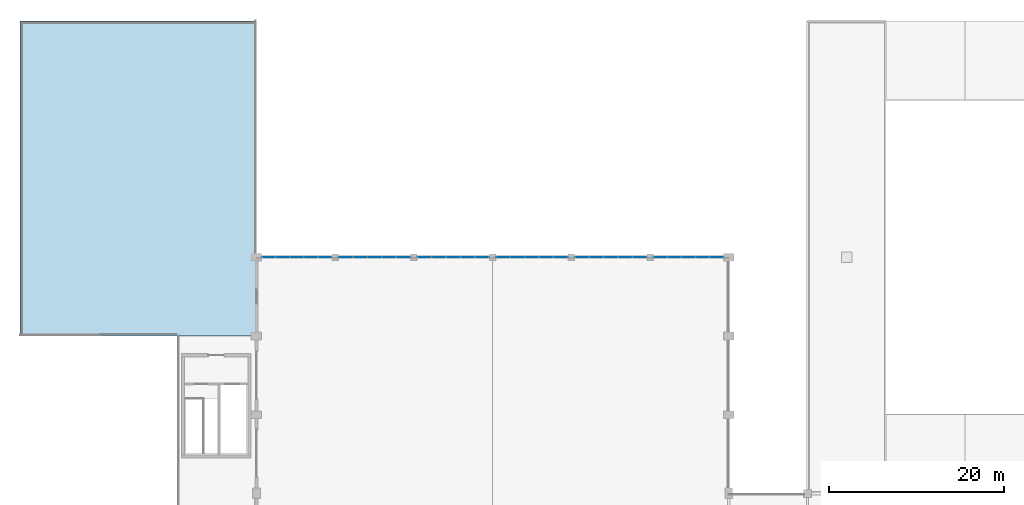
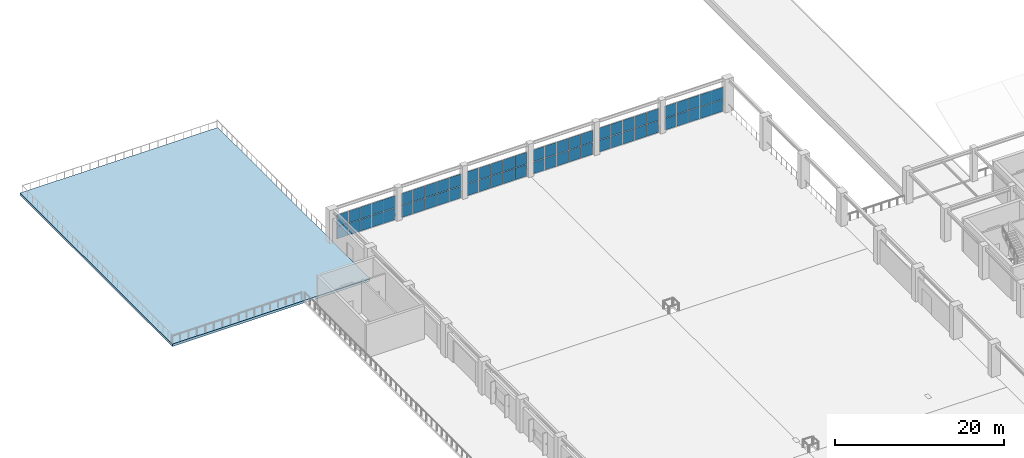
# One storey, part 57 of 89: 60 plates, 1 slab, 6 elements without a shape of their own.
"""IFC4 building model written with IfcOpenShell, lengths in metres."""

from ifc_helpers import new_model, si_unit, direction, frame, origin, origin_2d, place, context, subcontext, project, spatial, polyline, rectangle, outline, extrude, material, layer, layer_set, type_object, element, aggregate, save


model = new_model("IFC4")

# Units and contexts
model_context = context("Model", 3, precision=1e-05, world=origin(), true_north=direction((0.0, 1.0)))
body_context = subcontext(model_context, "Body", "Model", "MODEL_VIEW")
ifc_project = project(units=[si_unit("LENGTHUNIT", "METRE"), si_unit("AREAUNIT", "SQUARE_METRE"), si_unit("VOLUMEUNIT", "CUBIC_METRE"), si_unit("PLANEANGLEUNIT", "RADIAN"), si_unit("MASSUNIT", "GRAM", prefix="KILO")], contexts=[model_context])

# Site, building, storey
site_placement = place(None, origin())
site = spatial("IfcSite", under=ifc_project, at=site_placement, CompositionType="ELEMENT")
building_placement = place(site_placement, origin())
building = spatial("IfcBuilding", under=site, at=building_placement, Name="Dornveld Trade and Exhibition Forum", CompositionType="ELEMENT")
storey_placement = place(building_placement, frame((0.0, 0.0, 12.0)))
storey = spatial("IfcBuildingStorey", under=building, at=storey_placement, Name="L02", CompositionType="ELEMENT", Elevation=12.0)

# Curtain wall, plates
ifc_material_1 = material(Name="Dark-bronze anodised aluminium and low-E glass", Category="aluminium")
ifc_layer_1 = layer(ifc_material_1, 0.166015625)
ifc_layer_set_1 = layer_set([ifc_layer_1], Name="Dark-bronze anodised aluminium and low-E glass")
curtain_wall_type_1 = type_object("IfcCurtainWallType", Name="CW-SYS-08", PredefinedType="USERDEFINED", material=ifc_layer_set_1)
curtain_wall_1_placement = place(storey_placement, origin())
curtain_wall_1 = element("IfcCurtainWall", 1, at=curtain_wall_1_placement, inside=storey, type_object=curtain_wall_type_1, Name="L02 unitised curtain wall 26", ObjectType="UNITISED_CURTAIN_WALL", PredefinedType="USERDEFINED")
ifc_material_2 = material(Name="Double-glazed low-E solar control glass", Category="glass")
ifc_layer_2 = layer(ifc_material_2, 0.028076171875)
ifc_layer_set_2 = layer_set([ifc_layer_2], Name="Double-glazed low-E solar control glass")
plate_type_1 = type_object("IfcPlateType", Name="CW-PNL-02", PredefinedType="CURTAIN_PANEL", material=ifc_layer_set_2)
plate_1_placement = place(storey_placement, frame((61.7880859375, 135.0, 0.05615234375), z_axis=(0.0, 0.0, 1.0), x_axis=(-1.0, 0.0, 0.0)))
plate_1 = element("IfcPlate", 2, at=plate_1_placement, type_object=plate_type_1, Name="CW-08 panel 1.1", PredefinedType="CURTAIN_PANEL", context=body_context, shape_type="SweptSolid", body=[
    extrude(rectangle(XDim=1.5615234375, YDim=0.028076171875, at=origin_2d()), origin(), (0.0, 0.0, 1.0), 1.701904296875),
])
plate_2_placement = place(storey_placement, frame((61.7880859375, 135.0, 1.81787109375), z_axis=(0.0, 0.0, 1.0), x_axis=(-1.0, 0.0, 0.0)))
plate_2 = element("IfcPlate", 3, at=plate_2_placement, type_object=plate_type_1, Name="CW-08 panel 1.2", PredefinedType="CURTAIN_PANEL", context=body_context, shape_type="SweptSolid", body=[
    extrude(rectangle(XDim=1.5615234375, YDim=0.028076171875, at=origin_2d()), origin(), (0.0, 0.0, 1.0), 1.701904296875),
])
plate_3_placement = place(storey_placement, frame((60.151611328125, 135.0, 0.05615234375), z_axis=(0.0, 0.0, 1.0), x_axis=(-1.0, 0.0, 0.0)))
plate_3 = element("IfcPlate", 4, at=plate_3_placement, type_object=plate_type_1, Name="CW-08 panel 2.1", PredefinedType="CURTAIN_PANEL", context=body_context, shape_type="SweptSolid", body=[
    extrude(rectangle(XDim=1.591552734375, YDim=0.028076171875, at=origin_2d()), origin(), (0.0, 0.0, 1.0), 1.701904296875),
])
plate_4_placement = place(storey_placement, frame((60.151611328125, 135.0, 1.81787109375), z_axis=(0.0, 0.0, 1.0), x_axis=(-1.0, 0.0, 0.0)))
plate_4 = element("IfcPlate", 5, at=plate_4_placement, type_object=plate_type_1, Name="CW-08 panel 2.2", PredefinedType="CURTAIN_PANEL", context=body_context, shape_type="SweptSolid", body=[
    extrude(rectangle(XDim=1.591552734375, YDim=0.028076171875, at=origin_2d()), origin(), (0.0, 0.0, 1.0), 1.701904296875),
])
plate_5_placement = place(storey_placement, frame((58.5, 135.0, 0.05615234375), z_axis=(0.0, 0.0, 1.0), x_axis=(-1.0, 0.0, 0.0)))
plate_5 = element("IfcPlate", 6, at=plate_5_placement, type_object=plate_type_1, Name="CW-08 panel 3.1", PredefinedType="CURTAIN_PANEL", context=body_context, shape_type="SweptSolid", body=[
    extrude(rectangle(XDim=1.591552734375, YDim=0.028076171875, at=origin_2d()), origin(), (0.0, 0.0, 1.0), 1.701904296875),
])
plate_6_placement = place(storey_placement, frame((58.5, 135.0, 1.81787109375), z_axis=(0.0, 0.0, 1.0), x_axis=(-1.0, 0.0, 0.0)))
plate_6 = element("IfcPlate", 7, at=plate_6_placement, type_object=plate_type_1, Name="CW-08 panel 3.2", PredefinedType="CURTAIN_PANEL", context=body_context, shape_type="SweptSolid", body=[
    extrude(rectangle(XDim=1.591552734375, YDim=0.028076171875, at=origin_2d()), origin(), (0.0, 0.0, 1.0), 1.701904296875),
])
plate_7_placement = place(storey_placement, frame((56.848388671875, 135.0, 0.05615234375), z_axis=(0.0, 0.0, 1.0), x_axis=(-1.0, 0.0, 0.0)))
plate_7 = element("IfcPlate", 8, at=plate_7_placement, type_object=plate_type_1, Name="CW-08 panel 4.1", PredefinedType="CURTAIN_PANEL", context=body_context, shape_type="SweptSolid", body=[
    extrude(rectangle(XDim=1.591552734375, YDim=0.028076171875, at=origin_2d()), origin(), (0.0, 0.0, 1.0), 1.701904296875),
])
plate_8_placement = place(storey_placement, frame((56.848388671875, 135.0, 1.81787109375), z_axis=(0.0, 0.0, 1.0), x_axis=(-1.0, 0.0, 0.0)))
plate_8 = element("IfcPlate", 9, at=plate_8_placement, type_object=plate_type_1, Name="CW-08 panel 4.2", PredefinedType="CURTAIN_PANEL", context=body_context, shape_type="SweptSolid", body=[
    extrude(rectangle(XDim=1.591552734375, YDim=0.028076171875, at=origin_2d()), origin(), (0.0, 0.0, 1.0), 1.701904296875),
])
plate_9_placement = place(storey_placement, frame((55.2119140625, 135.0, 0.05615234375), z_axis=(0.0, 0.0, 1.0), x_axis=(-1.0, 0.0, 0.0)))
plate_9 = element("IfcPlate", 10, at=plate_9_placement, type_object=plate_type_1, Name="CW-08 panel 5.1", PredefinedType="CURTAIN_PANEL", context=body_context, shape_type="SweptSolid", body=[
    extrude(rectangle(XDim=1.5615234375, YDim=0.028076171875, at=origin_2d()), origin(), (0.0, 0.0, 1.0), 1.701904296875),
])
plate_10_placement = place(storey_placement, frame((55.2119140625, 135.0, 1.81787109375), z_axis=(0.0, 0.0, 1.0), x_axis=(-1.0, 0.0, 0.0)))
plate_10 = element("IfcPlate", 11, at=plate_10_placement, type_object=plate_type_1, Name="CW-08 panel 5.2", PredefinedType="CURTAIN_PANEL", context=body_context, shape_type="SweptSolid", body=[
    extrude(rectangle(XDim=1.5615234375, YDim=0.028076171875, at=origin_2d()), origin(), (0.0, 0.0, 1.0), 1.701904296875),
])
aggregate(curtain_wall_1, [plate_1, plate_2, plate_3, plate_4, plate_5, plate_6, plate_7, plate_8, plate_9, plate_10])

ifc_material_3 = material(Name="Dark-bronze anodised aluminium and low-E glass", Category="aluminium")
ifc_layer_3 = layer(ifc_material_3, 0.14794921875)
ifc_layer_set_3 = layer_set([ifc_layer_3], Name="Dark-bronze anodised aluminium and low-E glass")
curtain_wall_type_2 = type_object("IfcCurtainWallType", Name="CW-SYS-02", PredefinedType="USERDEFINED", material=ifc_layer_set_3)
curtain_wall_2_placement = place(storey_placement, origin())
curtain_wall_2 = element("IfcCurtainWall", 12, at=curtain_wall_2_placement, inside=storey, type_object=curtain_wall_type_2, Name="L02 unitised curtain wall 20", ObjectType="UNITISED_CURTAIN_WALL", PredefinedType="USERDEFINED")
ifc_material_4 = material(Name="Double-glazed low-E solar control glass", Category="glass")
ifc_layer_4 = layer(ifc_material_4, 0.031982421875)
ifc_layer_set_4 = layer_set([ifc_layer_4], Name="Double-glazed low-E solar control glass")
plate_type_2 = type_object("IfcPlateType", Name="CW-PNL-04", PredefinedType="CURTAIN_PANEL", material=ifc_layer_set_4)
plate_11_placement = place(storey_placement, frame((34.810791015625, 135.0, 0.05615234375), z_axis=(0.0, 0.0, 1.0), x_axis=(-1.0, 0.0, 0.0)))
plate_11 = element("IfcPlate", 13, at=plate_11_placement, type_object=plate_type_2, Name="CW-02 panel 1.1", PredefinedType="CURTAIN_PANEL", context=body_context, shape_type="SweptSolid", body=[
    extrude(rectangle(XDim=1.5166015625, YDim=0.031982421875, at=origin_2d()), origin(), (0.0, 0.0, 1.0), 1.701904296875),
])
plate_12_placement = place(storey_placement, frame((34.810791015625, 135.0, 1.81787109375), z_axis=(0.0, 0.0, 1.0), x_axis=(-1.0, 0.0, 0.0)))
plate_12 = element("IfcPlate", 14, at=plate_12_placement, type_object=plate_type_2, Name="CW-02 panel 1.2", PredefinedType="CURTAIN_PANEL", context=body_context, shape_type="SweptSolid", body=[
    extrude(rectangle(XDim=1.5166015625, YDim=0.031982421875, at=origin_2d()), origin(), (0.0, 0.0, 1.0), 1.701904296875),
])
plate_13_placement = place(storey_placement, frame((33.218994140625, 135.0, 0.05615234375), z_axis=(0.0, 0.0, 1.0), x_axis=(-1.0, 0.0, 0.0)))
plate_13 = element("IfcPlate", 15, at=plate_13_placement, type_object=plate_type_2, Name="CW-02 panel 2.1", PredefinedType="CURTAIN_PANEL", context=body_context, shape_type="SweptSolid", body=[
    extrude(rectangle(XDim=1.546630859375, YDim=0.031982421875, at=origin_2d()), origin(), (0.0, 0.0, 1.0), 1.701904296875),
])
plate_14_placement = place(storey_placement, frame((33.218994140625, 135.0, 1.81787109375), z_axis=(0.0, 0.0, 1.0), x_axis=(-1.0, 0.0, 0.0)))
plate_14 = element("IfcPlate", 16, at=plate_14_placement, type_object=plate_type_2, Name="CW-02 panel 2.2", PredefinedType="CURTAIN_PANEL", context=body_context, shape_type="SweptSolid", body=[
    extrude(rectangle(XDim=1.546630859375, YDim=0.031982421875, at=origin_2d()), origin(), (0.0, 0.0, 1.0), 1.701904296875),
])
plate_15_placement = place(storey_placement, frame((31.612548828125, 135.0, 0.05615234375), z_axis=(0.0, 0.0, 1.0), x_axis=(-1.0, 0.0, 0.0)))
plate_15 = element("IfcPlate", 17, at=plate_15_placement, type_object=plate_type_2, Name="CW-02 panel 3.1", PredefinedType="CURTAIN_PANEL", context=body_context, shape_type="SweptSolid", body=[
    extrude(rectangle(XDim=1.546630859375, YDim=0.031982421875, at=origin_2d()), origin(), (0.0, 0.0, 1.0), 1.701904296875),
])
plate_16_placement = place(storey_placement, frame((31.612548828125, 135.0, 1.81787109375), z_axis=(0.0, 0.0, 1.0), x_axis=(-1.0, 0.0, 0.0)))
plate_16 = element("IfcPlate", 18, at=plate_16_placement, type_object=plate_type_2, Name="CW-02 panel 3.2", PredefinedType="CURTAIN_PANEL", context=body_context, shape_type="SweptSolid", body=[
    extrude(rectangle(XDim=1.546630859375, YDim=0.031982421875, at=origin_2d()), origin(), (0.0, 0.0, 1.0), 1.701904296875),
])
plate_17_placement = place(storey_placement, frame((30.005859375, 135.0, 0.05615234375), z_axis=(0.0, 0.0, 1.0), x_axis=(-1.0, 0.0, 0.0)))
plate_17 = element("IfcPlate", 19, at=plate_17_placement, type_object=plate_type_2, Name="CW-02 panel 4.1", PredefinedType="CURTAIN_PANEL", context=body_context, shape_type="SweptSolid", body=[
    extrude(rectangle(XDim=1.546630859375, YDim=0.031982421875, at=origin_2d()), origin(), (0.0, 0.0, 1.0), 1.701904296875),
])
plate_18_placement = place(storey_placement, frame((30.005859375, 135.0, 1.81787109375), z_axis=(0.0, 0.0, 1.0), x_axis=(-1.0, 0.0, 0.0)))
plate_18 = element("IfcPlate", 20, at=plate_18_placement, type_object=plate_type_2, Name="CW-02 panel 4.2", PredefinedType="CURTAIN_PANEL", context=body_context, shape_type="SweptSolid", body=[
    extrude(rectangle(XDim=1.546630859375, YDim=0.031982421875, at=origin_2d()), origin(), (0.0, 0.0, 1.0), 1.701904296875),
])
plate_19_placement = place(storey_placement, frame((28.414306640625, 135.0, 0.05615234375), z_axis=(0.0, 0.0, 1.0), x_axis=(-1.0, 0.0, 0.0)))
plate_19 = element("IfcPlate", 21, at=plate_19_placement, type_object=plate_type_2, Name="CW-02 panel 5.1", PredefinedType="CURTAIN_PANEL", context=body_context, shape_type="SweptSolid", body=[
    extrude(rectangle(XDim=1.5166015625, YDim=0.031982421875, at=origin_2d()), origin(), (0.0, 0.0, 1.0), 1.701904296875),
])
plate_20_placement = place(storey_placement, frame((28.414306640625, 135.0, 1.81787109375), z_axis=(0.0, 0.0, 1.0), x_axis=(-1.0, 0.0, 0.0)))
plate_20 = element("IfcPlate", 22, at=plate_20_placement, type_object=plate_type_2, Name="CW-02 panel 5.2", PredefinedType="CURTAIN_PANEL", context=body_context, shape_type="SweptSolid", body=[
    extrude(rectangle(XDim=1.5166015625, YDim=0.031982421875, at=origin_2d()), origin(), (0.0, 0.0, 1.0), 1.701904296875),
])
aggregate(curtain_wall_2, [plate_11, plate_12, plate_13, plate_14, plate_15, plate_16, plate_17, plate_18, plate_19, plate_20])

ifc_material_5 = material(Name="Dark-bronze anodised aluminium and low-E glass", Category="aluminium")
ifc_layer_5 = layer(ifc_material_5, 0.172119140625)
ifc_layer_set_5 = layer_set([ifc_layer_5], Name="Dark-bronze anodised aluminium and low-E glass")
curtain_wall_type_3 = type_object("IfcCurtainWallType", Name="CW-SYS-10", PredefinedType="USERDEFINED", material=ifc_layer_set_5)
curtain_wall_3_placement = place(storey_placement, origin())
curtain_wall_3 = element("IfcCurtainWall", 23, at=curtain_wall_3_placement, inside=storey, type_object=curtain_wall_type_3, Name="L02 unitised curtain wall 28", ObjectType="UNITISED_CURTAIN_WALL", PredefinedType="USERDEFINED")
plate_21_placement = place(storey_placement, frame((70.7880859375, 135.0, 0.05615234375), z_axis=(0.0, 0.0, 1.0), x_axis=(-1.0, 0.0, 0.0)))
plate_21 = element("IfcPlate", 24, at=plate_21_placement, type_object=plate_type_2, Name="CW-10 panel 1.1", PredefinedType="CURTAIN_PANEL", context=body_context, shape_type="SweptSolid", body=[
    extrude(rectangle(XDim=1.5615234375, YDim=0.031982421875, at=origin_2d()), origin(), (0.0, 0.0, 1.0), 1.701904296875),
])
plate_22_placement = place(storey_placement, frame((70.7880859375, 135.0, 1.81787109375), z_axis=(0.0, 0.0, 1.0), x_axis=(-1.0, 0.0, 0.0)))
plate_22 = element("IfcPlate", 25, at=plate_22_placement, type_object=plate_type_2, Name="CW-10 panel 1.2", PredefinedType="CURTAIN_PANEL", context=body_context, shape_type="SweptSolid", body=[
    extrude(rectangle(XDim=1.5615234375, YDim=0.031982421875, at=origin_2d()), origin(), (0.0, 0.0, 1.0), 1.701904296875),
])
plate_23_placement = place(storey_placement, frame((69.151611328125, 135.0, 0.05615234375), z_axis=(0.0, 0.0, 1.0), x_axis=(-1.0, 0.0, 0.0)))
plate_23 = element("IfcPlate", 26, at=plate_23_placement, type_object=plate_type_2, Name="CW-10 panel 2.1", PredefinedType="CURTAIN_PANEL", context=body_context, shape_type="SweptSolid", body=[
    extrude(rectangle(XDim=1.591552734375, YDim=0.031982421875, at=origin_2d()), origin(), (0.0, 0.0, 1.0), 1.701904296875),
])
plate_24_placement = place(storey_placement, frame((69.151611328125, 135.0, 1.81787109375), z_axis=(0.0, 0.0, 1.0), x_axis=(-1.0, 0.0, 0.0)))
plate_24 = element("IfcPlate", 27, at=plate_24_placement, type_object=plate_type_2, Name="CW-10 panel 2.2", PredefinedType="CURTAIN_PANEL", context=body_context, shape_type="SweptSolid", body=[
    extrude(rectangle(XDim=1.591552734375, YDim=0.031982421875, at=origin_2d()), origin(), (0.0, 0.0, 1.0), 1.701904296875),
])
plate_25_placement = place(storey_placement, frame((67.5, 135.0, 0.05615234375), z_axis=(0.0, 0.0, 1.0), x_axis=(-1.0, 0.0, 0.0)))
plate_25 = element("IfcPlate", 28, at=plate_25_placement, type_object=plate_type_2, Name="CW-10 panel 3.1", PredefinedType="CURTAIN_PANEL", context=body_context, shape_type="SweptSolid", body=[
    extrude(rectangle(XDim=1.591552734375, YDim=0.031982421875, at=origin_2d()), origin(), (0.0, 0.0, 1.0), 1.701904296875),
])
plate_26_placement = place(storey_placement, frame((67.5, 135.0, 1.81787109375), z_axis=(0.0, 0.0, 1.0), x_axis=(-1.0, 0.0, 0.0)))
plate_26 = element("IfcPlate", 29, at=plate_26_placement, type_object=plate_type_2, Name="CW-10 panel 3.2", PredefinedType="CURTAIN_PANEL", context=body_context, shape_type="SweptSolid", body=[
    extrude(rectangle(XDim=1.591552734375, YDim=0.031982421875, at=origin_2d()), origin(), (0.0, 0.0, 1.0), 1.701904296875),
])
plate_27_placement = place(storey_placement, frame((65.848388671875, 135.0, 0.05615234375), z_axis=(0.0, 0.0, 1.0), x_axis=(-1.0, 0.0, 0.0)))
plate_27 = element("IfcPlate", 30, at=plate_27_placement, type_object=plate_type_2, Name="CW-10 panel 4.1", PredefinedType="CURTAIN_PANEL", context=body_context, shape_type="SweptSolid", body=[
    extrude(rectangle(XDim=1.591552734375, YDim=0.031982421875, at=origin_2d()), origin(), (0.0, 0.0, 1.0), 1.701904296875),
])
plate_28_placement = place(storey_placement, frame((65.848388671875, 135.0, 1.81787109375), z_axis=(0.0, 0.0, 1.0), x_axis=(-1.0, 0.0, 0.0)))
plate_28 = element("IfcPlate", 31, at=plate_28_placement, type_object=plate_type_2, Name="CW-10 panel 4.2", PredefinedType="CURTAIN_PANEL", context=body_context, shape_type="SweptSolid", body=[
    extrude(rectangle(XDim=1.591552734375, YDim=0.031982421875, at=origin_2d()), origin(), (0.0, 0.0, 1.0), 1.701904296875),
])
plate_29_placement = place(storey_placement, frame((64.2119140625, 135.0, 0.05615234375), z_axis=(0.0, 0.0, 1.0), x_axis=(-1.0, 0.0, 0.0)))
plate_29 = element("IfcPlate", 32, at=plate_29_placement, type_object=plate_type_2, Name="CW-10 panel 5.1", PredefinedType="CURTAIN_PANEL", context=body_context, shape_type="SweptSolid", body=[
    extrude(rectangle(XDim=1.5615234375, YDim=0.031982421875, at=origin_2d()), origin(), (0.0, 0.0, 1.0), 1.701904296875),
])
plate_30_placement = place(storey_placement, frame((64.2119140625, 135.0, 1.81787109375), z_axis=(0.0, 0.0, 1.0), x_axis=(-1.0, 0.0, 0.0)))
plate_30 = element("IfcPlate", 33, at=plate_30_placement, type_object=plate_type_2, Name="CW-10 panel 5.2", PredefinedType="CURTAIN_PANEL", context=body_context, shape_type="SweptSolid", body=[
    extrude(rectangle(XDim=1.5615234375, YDim=0.031982421875, at=origin_2d()), origin(), (0.0, 0.0, 1.0), 1.701904296875),
])
aggregate(curtain_wall_3, [plate_21, plate_22, plate_23, plate_24, plate_25, plate_26, plate_27, plate_28, plate_29, plate_30])

ifc_material_6 = material(Name="Dark-bronze anodised aluminium and low-E glass", Category="aluminium")
ifc_layer_6 = layer(ifc_material_6, 0.154052734375)
ifc_layer_set_6 = layer_set([ifc_layer_6], Name="Dark-bronze anodised aluminium and low-E glass")
curtain_wall_type_4 = type_object("IfcCurtainWallType", Name="CW-SYS-04", PredefinedType="USERDEFINED", material=ifc_layer_set_6)
curtain_wall_4_placement = place(storey_placement, origin())
curtain_wall_4 = element("IfcCurtainWall", 34, at=curtain_wall_4_placement, inside=storey, type_object=curtain_wall_type_4, Name="L02 unitised curtain wall 22", ObjectType="UNITISED_CURTAIN_WALL", PredefinedType="USERDEFINED")
ifc_material_7 = material(Name="Double-glazed low-E solar control glass", Category="glass")
ifc_layer_7 = layer(ifc_material_7, 0.035888671875)
ifc_layer_set_7 = layer_set([ifc_layer_7], Name="Double-glazed low-E solar control glass")
plate_type_3 = type_object("IfcPlateType", Name="CW-PNL-06", PredefinedType="CURTAIN_PANEL", material=ifc_layer_set_7)
plate_31_placement = place(storey_placement, frame((43.7880859375, 135.0, 0.05615234375), z_axis=(0.0, 0.0, 1.0), x_axis=(-1.0, 0.0, 0.0)))
plate_31 = element("IfcPlate", 35, at=plate_31_placement, type_object=plate_type_3, Name="CW-04 panel 1.1", PredefinedType="CURTAIN_PANEL", context=body_context, shape_type="SweptSolid", body=[
    extrude(rectangle(XDim=1.5615234375, YDim=0.035888671875, at=origin_2d()), origin(), (0.0, 0.0, 1.0), 1.701904296875),
])
plate_32_placement = place(storey_placement, frame((43.7880859375, 135.0, 1.81787109375), z_axis=(0.0, 0.0, 1.0), x_axis=(-1.0, 0.0, 0.0)))
plate_32 = element("IfcPlate", 36, at=plate_32_placement, type_object=plate_type_3, Name="CW-04 panel 1.2", PredefinedType="CURTAIN_PANEL", context=body_context, shape_type="SweptSolid", body=[
    extrude(rectangle(XDim=1.5615234375, YDim=0.035888671875, at=origin_2d()), origin(), (0.0, 0.0, 1.0), 1.701904296875),
])
plate_33_placement = place(storey_placement, frame((42.151611328125, 135.0, 0.05615234375), z_axis=(0.0, 0.0, 1.0), x_axis=(-1.0, 0.0, 0.0)))
plate_33 = element("IfcPlate", 37, at=plate_33_placement, type_object=plate_type_3, Name="CW-04 panel 2.1", PredefinedType="CURTAIN_PANEL", context=body_context, shape_type="SweptSolid", body=[
    extrude(rectangle(XDim=1.591552734375, YDim=0.035888671875, at=origin_2d()), origin(), (0.0, 0.0, 1.0), 1.701904296875),
])
plate_34_placement = place(storey_placement, frame((42.151611328125, 135.0, 1.81787109375), z_axis=(0.0, 0.0, 1.0), x_axis=(-1.0, 0.0, 0.0)))
plate_34 = element("IfcPlate", 38, at=plate_34_placement, type_object=plate_type_3, Name="CW-04 panel 2.2", PredefinedType="CURTAIN_PANEL", context=body_context, shape_type="SweptSolid", body=[
    extrude(rectangle(XDim=1.591552734375, YDim=0.035888671875, at=origin_2d()), origin(), (0.0, 0.0, 1.0), 1.701904296875),
])
plate_35_placement = place(storey_placement, frame((40.5, 135.0, 0.05615234375), z_axis=(0.0, 0.0, 1.0), x_axis=(-1.0, 0.0, 0.0)))
plate_35 = element("IfcPlate", 39, at=plate_35_placement, type_object=plate_type_3, Name="CW-04 panel 3.1", PredefinedType="CURTAIN_PANEL", context=body_context, shape_type="SweptSolid", body=[
    extrude(rectangle(XDim=1.591552734375, YDim=0.035888671875, at=origin_2d()), origin(), (0.0, 0.0, 1.0), 1.701904296875),
])
plate_36_placement = place(storey_placement, frame((40.5, 135.0, 1.81787109375), z_axis=(0.0, 0.0, 1.0), x_axis=(-1.0, 0.0, 0.0)))
plate_36 = element("IfcPlate", 40, at=plate_36_placement, type_object=plate_type_3, Name="CW-04 panel 3.2", PredefinedType="CURTAIN_PANEL", context=body_context, shape_type="SweptSolid", body=[
    extrude(rectangle(XDim=1.591552734375, YDim=0.035888671875, at=origin_2d()), origin(), (0.0, 0.0, 1.0), 1.701904296875),
])
plate_37_placement = place(storey_placement, frame((38.848388671875, 135.0, 0.05615234375), z_axis=(0.0, 0.0, 1.0), x_axis=(-1.0, 0.0, 0.0)))
plate_37 = element("IfcPlate", 41, at=plate_37_placement, type_object=plate_type_3, Name="CW-04 panel 4.1", PredefinedType="CURTAIN_PANEL", context=body_context, shape_type="SweptSolid", body=[
    extrude(rectangle(XDim=1.591552734375, YDim=0.035888671875, at=origin_2d()), origin(), (0.0, 0.0, 1.0), 1.701904296875),
])
plate_38_placement = place(storey_placement, frame((38.848388671875, 135.0, 1.81787109375), z_axis=(0.0, 0.0, 1.0), x_axis=(-1.0, 0.0, 0.0)))
plate_38 = element("IfcPlate", 42, at=plate_38_placement, type_object=plate_type_3, Name="CW-04 panel 4.2", PredefinedType="CURTAIN_PANEL", context=body_context, shape_type="SweptSolid", body=[
    extrude(rectangle(XDim=1.591552734375, YDim=0.035888671875, at=origin_2d()), origin(), (0.0, 0.0, 1.0), 1.701904296875),
])
plate_39_placement = place(storey_placement, frame((37.2119140625, 135.0, 0.05615234375), z_axis=(0.0, 0.0, 1.0), x_axis=(-1.0, 0.0, 0.0)))
plate_39 = element("IfcPlate", 43, at=plate_39_placement, type_object=plate_type_3, Name="CW-04 panel 5.1", PredefinedType="CURTAIN_PANEL", context=body_context, shape_type="SweptSolid", body=[
    extrude(rectangle(XDim=1.5615234375, YDim=0.035888671875, at=origin_2d()), origin(), (0.0, 0.0, 1.0), 1.701904296875),
])
plate_40_placement = place(storey_placement, frame((37.2119140625, 135.0, 1.81787109375), z_axis=(0.0, 0.0, 1.0), x_axis=(-1.0, 0.0, 0.0)))
plate_40 = element("IfcPlate", 44, at=plate_40_placement, type_object=plate_type_3, Name="CW-04 panel 5.2", PredefinedType="CURTAIN_PANEL", context=body_context, shape_type="SweptSolid", body=[
    extrude(rectangle(XDim=1.5615234375, YDim=0.035888671875, at=origin_2d()), origin(), (0.0, 0.0, 1.0), 1.701904296875),
])
aggregate(curtain_wall_4, [plate_31, plate_32, plate_33, plate_34, plate_35, plate_36, plate_37, plate_38, plate_39, plate_40])

ifc_material_8 = material(Name="Dark-bronze anodised aluminium and low-E glass", Category="aluminium")
ifc_layer_8 = layer(ifc_material_8, 0.177978515625)
ifc_layer_set_8 = layer_set([ifc_layer_8], Name="Dark-bronze anodised aluminium and low-E glass")
curtain_wall_type_5 = type_object("IfcCurtainWallType", Name="CW-SYS-12", PredefinedType="USERDEFINED", material=ifc_layer_set_8)
curtain_wall_5_placement = place(storey_placement, origin())
curtain_wall_5 = element("IfcCurtainWall", 45, at=curtain_wall_5_placement, inside=storey, type_object=curtain_wall_type_5, Name="L02 unitised curtain wall 30", ObjectType="UNITISED_CURTAIN_WALL", PredefinedType="USERDEFINED")
plate_41_placement = place(storey_placement, frame((79.585693359375, 135.0, 0.05615234375), z_axis=(0.0, 0.0, 1.0), x_axis=(-1.0, 0.0, 0.0)))
plate_41 = element("IfcPlate", 46, at=plate_41_placement, type_object=plate_type_3, Name="CW-12 panel 1.1", PredefinedType="CURTAIN_PANEL", context=body_context, shape_type="SweptSolid", body=[
    extrude(rectangle(XDim=1.5166015625, YDim=0.035888671875, at=origin_2d()), origin(), (0.0, 0.0, 1.0), 1.701904296875),
])
plate_42_placement = place(storey_placement, frame((79.585693359375, 135.0, 1.81787109375), z_axis=(0.0, 0.0, 1.0), x_axis=(-1.0, 0.0, 0.0)))
plate_42 = element("IfcPlate", 47, at=plate_42_placement, type_object=plate_type_3, Name="CW-12 panel 1.2", PredefinedType="CURTAIN_PANEL", context=body_context, shape_type="SweptSolid", body=[
    extrude(rectangle(XDim=1.5166015625, YDim=0.035888671875, at=origin_2d()), origin(), (0.0, 0.0, 1.0), 1.701904296875),
])
plate_43_placement = place(storey_placement, frame((77.994140625, 135.0, 0.05615234375), z_axis=(0.0, 0.0, 1.0), x_axis=(-1.0, 0.0, 0.0)))
plate_43 = element("IfcPlate", 48, at=plate_43_placement, type_object=plate_type_3, Name="CW-12 panel 2.1", PredefinedType="CURTAIN_PANEL", context=body_context, shape_type="SweptSolid", body=[
    extrude(rectangle(XDim=1.546630859375, YDim=0.035888671875, at=origin_2d()), origin(), (0.0, 0.0, 1.0), 1.701904296875),
])
plate_44_placement = place(storey_placement, frame((77.994140625, 135.0, 1.81787109375), z_axis=(0.0, 0.0, 1.0), x_axis=(-1.0, 0.0, 0.0)))
plate_44 = element("IfcPlate", 49, at=plate_44_placement, type_object=plate_type_3, Name="CW-12 panel 2.2", PredefinedType="CURTAIN_PANEL", context=body_context, shape_type="SweptSolid", body=[
    extrude(rectangle(XDim=1.546630859375, YDim=0.035888671875, at=origin_2d()), origin(), (0.0, 0.0, 1.0), 1.701904296875),
])
plate_45_placement = place(storey_placement, frame((76.387451171875, 135.0, 0.05615234375), z_axis=(0.0, 0.0, 1.0), x_axis=(-1.0, 0.0, 0.0)))
plate_45 = element("IfcPlate", 50, at=plate_45_placement, type_object=plate_type_3, Name="CW-12 panel 3.1", PredefinedType="CURTAIN_PANEL", context=body_context, shape_type="SweptSolid", body=[
    extrude(rectangle(XDim=1.546630859375, YDim=0.035888671875, at=origin_2d()), origin(), (0.0, 0.0, 1.0), 1.701904296875),
])
plate_46_placement = place(storey_placement, frame((76.387451171875, 135.0, 1.81787109375), z_axis=(0.0, 0.0, 1.0), x_axis=(-1.0, 0.0, 0.0)))
plate_46 = element("IfcPlate", 51, at=plate_46_placement, type_object=plate_type_3, Name="CW-12 panel 3.2", PredefinedType="CURTAIN_PANEL", context=body_context, shape_type="SweptSolid", body=[
    extrude(rectangle(XDim=1.546630859375, YDim=0.035888671875, at=origin_2d()), origin(), (0.0, 0.0, 1.0), 1.701904296875),
])
plate_47_placement = place(storey_placement, frame((74.781005859375, 135.0, 0.05615234375), z_axis=(0.0, 0.0, 1.0), x_axis=(-1.0, 0.0, 0.0)))
plate_47 = element("IfcPlate", 52, at=plate_47_placement, type_object=plate_type_3, Name="CW-12 panel 4.1", PredefinedType="CURTAIN_PANEL", context=body_context, shape_type="SweptSolid", body=[
    extrude(rectangle(XDim=1.546630859375, YDim=0.035888671875, at=origin_2d()), origin(), (0.0, 0.0, 1.0), 1.701904296875),
])
plate_48_placement = place(storey_placement, frame((74.781005859375, 135.0, 1.81787109375), z_axis=(0.0, 0.0, 1.0), x_axis=(-1.0, 0.0, 0.0)))
plate_48 = element("IfcPlate", 53, at=plate_48_placement, type_object=plate_type_3, Name="CW-12 panel 4.2", PredefinedType="CURTAIN_PANEL", context=body_context, shape_type="SweptSolid", body=[
    extrude(rectangle(XDim=1.546630859375, YDim=0.035888671875, at=origin_2d()), origin(), (0.0, 0.0, 1.0), 1.701904296875),
])
plate_49_placement = place(storey_placement, frame((73.189208984375, 135.0, 0.05615234375), z_axis=(0.0, 0.0, 1.0), x_axis=(-1.0, 0.0, 0.0)))
plate_49 = element("IfcPlate", 54, at=plate_49_placement, type_object=plate_type_3, Name="CW-12 panel 5.1", PredefinedType="CURTAIN_PANEL", context=body_context, shape_type="SweptSolid", body=[
    extrude(rectangle(XDim=1.5166015625, YDim=0.035888671875, at=origin_2d()), origin(), (0.0, 0.0, 1.0), 1.701904296875),
])
plate_50_placement = place(storey_placement, frame((73.189208984375, 135.0, 1.81787109375), z_axis=(0.0, 0.0, 1.0), x_axis=(-1.0, 0.0, 0.0)))
plate_50 = element("IfcPlate", 55, at=plate_50_placement, type_object=plate_type_3, Name="CW-12 panel 5.2", PredefinedType="CURTAIN_PANEL", context=body_context, shape_type="SweptSolid", body=[
    extrude(rectangle(XDim=1.5166015625, YDim=0.035888671875, at=origin_2d()), origin(), (0.0, 0.0, 1.0), 1.701904296875),
])
aggregate(curtain_wall_5, [plate_41, plate_42, plate_43, plate_44, plate_45, plate_46, plate_47, plate_48, plate_49, plate_50])

ifc_material_9 = material(Name="Dark-bronze anodised aluminium and low-E glass", Category="aluminium")
ifc_layer_9 = layer(ifc_material_9, 0.159912109375)
ifc_layer_set_9 = layer_set([ifc_layer_9], Name="Dark-bronze anodised aluminium and low-E glass")
curtain_wall_type_6 = type_object("IfcCurtainWallType", Name="CW-SYS-06", PredefinedType="USERDEFINED", material=ifc_layer_set_9)
curtain_wall_6_placement = place(storey_placement, origin())
curtain_wall_6 = element("IfcCurtainWall", 56, at=curtain_wall_6_placement, inside=storey, type_object=curtain_wall_type_6, Name="L02 unitised curtain wall 24", ObjectType="UNITISED_CURTAIN_WALL", PredefinedType="USERDEFINED")
ifc_material_10 = material(Name="Double-glazed low-E solar control glass", Category="glass")
ifc_layer_10 = layer(ifc_material_10, 0.0400390625)
ifc_layer_set_10 = layer_set([ifc_layer_10], Name="Double-glazed low-E solar control glass")
plate_type_4 = type_object("IfcPlateType", Name="CW-PNL-08", PredefinedType="CURTAIN_PANEL", material=ifc_layer_set_10)
plate_51_placement = place(storey_placement, frame((52.7880859375, 135.0, 0.05615234375), z_axis=(0.0, 0.0, 1.0), x_axis=(-1.0, 0.0, 0.0)))
plate_51 = element("IfcPlate", 57, at=plate_51_placement, type_object=plate_type_4, Name="CW-06 panel 1.1", PredefinedType="CURTAIN_PANEL", context=body_context, shape_type="SweptSolid", body=[
    extrude(rectangle(XDim=1.5615234375, YDim=0.0400390625, at=origin_2d()), origin(), (0.0, 0.0, 1.0), 1.701904296875),
])
plate_52_placement = place(storey_placement, frame((52.7880859375, 135.0, 1.81787109375), z_axis=(0.0, 0.0, 1.0), x_axis=(-1.0, 0.0, 0.0)))
plate_52 = element("IfcPlate", 58, at=plate_52_placement, type_object=plate_type_4, Name="CW-06 panel 1.2", PredefinedType="CURTAIN_PANEL", context=body_context, shape_type="SweptSolid", body=[
    extrude(rectangle(XDim=1.5615234375, YDim=0.0400390625, at=origin_2d()), origin(), (0.0, 0.0, 1.0), 1.701904296875),
])
plate_53_placement = place(storey_placement, frame((51.151611328125, 135.0, 0.05615234375), z_axis=(0.0, 0.0, 1.0), x_axis=(-1.0, 0.0, 0.0)))
plate_53 = element("IfcPlate", 59, at=plate_53_placement, type_object=plate_type_4, Name="CW-06 panel 2.1", PredefinedType="CURTAIN_PANEL", context=body_context, shape_type="SweptSolid", body=[
    extrude(rectangle(XDim=1.591552734375, YDim=0.0400390625, at=origin_2d()), origin(), (0.0, 0.0, 1.0), 1.701904296875),
])
plate_54_placement = place(storey_placement, frame((51.151611328125, 135.0, 1.81787109375), z_axis=(0.0, 0.0, 1.0), x_axis=(-1.0, 0.0, 0.0)))
plate_54 = element("IfcPlate", 60, at=plate_54_placement, type_object=plate_type_4, Name="CW-06 panel 2.2", PredefinedType="CURTAIN_PANEL", context=body_context, shape_type="SweptSolid", body=[
    extrude(rectangle(XDim=1.591552734375, YDim=0.0400390625, at=origin_2d()), origin(), (0.0, 0.0, 1.0), 1.701904296875),
])
plate_55_placement = place(storey_placement, frame((49.5, 135.0, 0.05615234375), z_axis=(0.0, 0.0, 1.0), x_axis=(-1.0, 0.0, 0.0)))
plate_55 = element("IfcPlate", 61, at=plate_55_placement, type_object=plate_type_4, Name="CW-06 panel 3.1", PredefinedType="CURTAIN_PANEL", context=body_context, shape_type="SweptSolid", body=[
    extrude(rectangle(XDim=1.591552734375, YDim=0.0400390625, at=origin_2d()), origin(), (0.0, 0.0, 1.0), 1.701904296875),
])
plate_56_placement = place(storey_placement, frame((49.5, 135.0, 1.81787109375), z_axis=(0.0, 0.0, 1.0), x_axis=(-1.0, 0.0, 0.0)))
plate_56 = element("IfcPlate", 62, at=plate_56_placement, type_object=plate_type_4, Name="CW-06 panel 3.2", PredefinedType="CURTAIN_PANEL", context=body_context, shape_type="SweptSolid", body=[
    extrude(rectangle(XDim=1.591552734375, YDim=0.0400390625, at=origin_2d()), origin(), (0.0, 0.0, 1.0), 1.701904296875),
])
plate_57_placement = place(storey_placement, frame((47.848388671875, 135.0, 0.05615234375), z_axis=(0.0, 0.0, 1.0), x_axis=(-1.0, 0.0, 0.0)))
plate_57 = element("IfcPlate", 63, at=plate_57_placement, type_object=plate_type_4, Name="CW-06 panel 4.1", PredefinedType="CURTAIN_PANEL", context=body_context, shape_type="SweptSolid", body=[
    extrude(rectangle(XDim=1.591552734375, YDim=0.0400390625, at=origin_2d()), origin(), (0.0, 0.0, 1.0), 1.701904296875),
])
plate_58_placement = place(storey_placement, frame((47.848388671875, 135.0, 1.81787109375), z_axis=(0.0, 0.0, 1.0), x_axis=(-1.0, 0.0, 0.0)))
plate_58 = element("IfcPlate", 64, at=plate_58_placement, type_object=plate_type_4, Name="CW-06 panel 4.2", PredefinedType="CURTAIN_PANEL", context=body_context, shape_type="SweptSolid", body=[
    extrude(rectangle(XDim=1.591552734375, YDim=0.0400390625, at=origin_2d()), origin(), (0.0, 0.0, 1.0), 1.701904296875),
])
plate_59_placement = place(storey_placement, frame((46.2119140625, 135.0, 0.05615234375), z_axis=(0.0, 0.0, 1.0), x_axis=(-1.0, 0.0, 0.0)))
plate_59 = element("IfcPlate", 65, at=plate_59_placement, type_object=plate_type_4, Name="CW-06 panel 5.1", PredefinedType="CURTAIN_PANEL", context=body_context, shape_type="SweptSolid", body=[
    extrude(rectangle(XDim=1.5615234375, YDim=0.0400390625, at=origin_2d()), origin(), (0.0, 0.0, 1.0), 1.701904296875),
])
plate_60_placement = place(storey_placement, frame((46.2119140625, 135.0, 1.81787109375), z_axis=(0.0, 0.0, 1.0), x_axis=(-1.0, 0.0, 0.0)))
plate_60 = element("IfcPlate", 66, at=plate_60_placement, type_object=plate_type_4, Name="CW-06 panel 5.2", PredefinedType="CURTAIN_PANEL", context=body_context, shape_type="SweptSolid", body=[
    extrude(rectangle(XDim=1.5615234375, YDim=0.0400390625, at=origin_2d()), origin(), (0.0, 0.0, 1.0), 1.701904296875),
])
aggregate(curtain_wall_6, [plate_51, plate_52, plate_53, plate_54, plate_55, plate_56, plate_57, plate_58, plate_59, plate_60])

# Slab
ifc_material_11 = material(Name="Precast concrete C50/60", Category="concrete")
ifc_layer_11 = layer(ifc_material_11, 0.35009765625)
ifc_layer_set_11 = layer_set([ifc_layer_11], Name="Precast concrete C50/60")
slab_type = type_object("IfcSlabType", Name="SL-APRON-350", PredefinedType="FLOOR", material=ifc_layer_set_11)
slab_placement = place(storey_placement, frame((0.0, 0.0, -0.35009765625)))
element("IfcSlab", 67, at=slab_placement, inside=storey, type_object=slab_type, Name="L02 structural slab panel 59", PredefinedType="FLOOR", context=body_context, shape_type="SweptSolid", body=[
    extrude(outline(polyline([(0.0, 126.0), (27.0, 126.0), (27.0, 162.0), (0.0, 162.0), (0.0, 126.0)])), origin(), (0.0, 0.0, 1.0), 0.35009765625),
])

save(model, "model.ifc")
